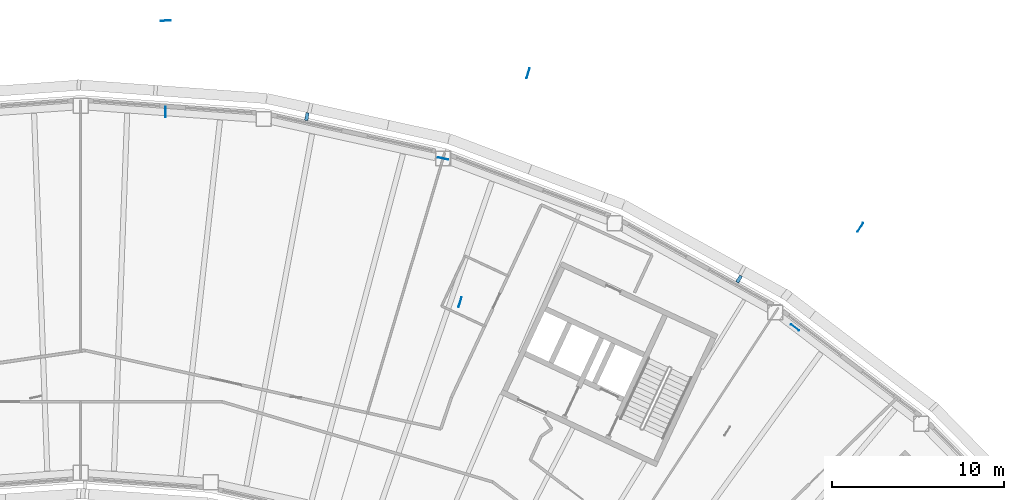
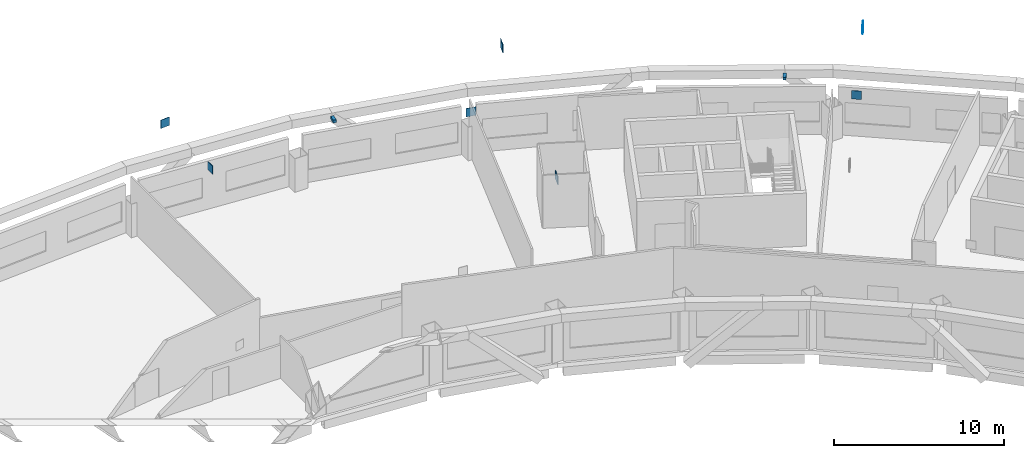
# One storey, part 16 of 20: 9 discrete accessories.
"""IFC4 building model written with IfcOpenShell, lengths in metres."""

from ifc_helpers import new_model, si_unit, direction, frame, origin, origin_2d, place, context, subcontext, project, spatial, rectangle, extrude, material, type_object, element, save


model = new_model("IFC4")

# Units and contexts
model_context = context("Model", 3, precision=1e-05, world=origin(), true_north=direction((0.0, 1.0)))
body_context = subcontext(model_context, "Body", "Model", "MODEL_VIEW")
ifc_project = project(units=[si_unit("LENGTHUNIT", "METRE"), si_unit("AREAUNIT", "SQUARE_METRE"), si_unit("VOLUMEUNIT", "CUBIC_METRE"), si_unit("PLANEANGLEUNIT", "RADIAN"), si_unit("MASSUNIT", "GRAM", prefix="KILO")], contexts=[model_context])

# Site, building, storey
site_placement = place(None, origin())
site = spatial("IfcSite", under=ifc_project, at=site_placement, CompositionType="ELEMENT")
building_placement = place(site_placement, origin())
building = spatial("IfcBuilding", under=site, at=building_placement, Name="Tuul Gate Civic Tower", CompositionType="ELEMENT")
storey_placement = place(building_placement, frame((0.0, 0.0, 197.300048828125)))
storey = spatial("IfcBuildingStorey", under=building, at=storey_placement, Name="Level 45", CompositionType="ELEMENT", Elevation=197.300048828125)

# Discrete accessories
ifc_material_1 = material(Name="Steel S355", Category="steel")
discrete_accessory_type_1 = type_object("IfcDiscreteAccessoryType", Name="Gusset plate", PredefinedType="BRACKET", material=ifc_material_1)
for number, where, z_axis, x_axis, name in (
    (1, (46.342041015625, 6.54345703125, 2.79638671875), (0.0, 0.0, 1.0), (-0.546721915066, -0.837314246616, 0.0), "Gusset plate"),
    (2, (27.0146484375, 15.498291015625, 2.79638671875), (0.0, 0.0, 1.0), (-0.285212112775, -0.958464423297, 0.0), "Gusset plate"),
    (3, (23.058349609375, 2.19580078125, 2.796142578125), (0.0, 0.0, 1.0), (0.285212112775, 0.958464423297, 0.0), "Gusset plate"),
    (4, (5.93994140625, 13.257568359375, 2.796142578125), (0.0, 0.0, 1.0), (0.0, 1.0, 0.0), "Gusset plate"),
    (5, (22.068115234375, 10.5458984375, 2.796142578125), (0.0, 0.0, 1.0), (-0.97656894253, 0.215204787319, 0.0), "Gusset plate"),
    (6, (5.93994140625, 18.565185546875, 2.796875), (0.0, 0.0, 1.0), (-0.997389783472, -0.072205400255, 0.0), "Gusset plate"),
    (7, (42.538330078125, 0.72021484375, 2.7958984375), (0.0, 0.0, 1.0), (0.795629478909, -0.605783568852, 0.0), "Gusset plate"),
):
    element("IfcDiscreteAccessory", number, at=place(storey_placement, frame(where, z_axis=z_axis, x_axis=x_axis)), inside=storey, type_object=discrete_accessory_type_1, Name=name, PredefinedType="BRACKET", context=body_context, shape_type="SweptSolid", body=[
        extrude(rectangle(XDim=0.60009765625, YDim=0.030029296875, at=origin_2d()), origin(), (0.0, 0.0, 1.0), 0.60009765625),
    ])
ifc_material_2 = material(Name="Stainless steel", Category="steel")
discrete_accessory_type_2 = type_object("IfcDiscreteAccessoryType", Name="Screen bracket", PredefinedType="BRACKET", material=ifc_material_2)
for number, where, z_axis, x_axis, name in (
    (8, (39.288818359375, 3.531005859375, 3.75), (0.0, 0.0, 1.0), (0.514604157599, 0.85742787509, 0.0), "Screen bracket 5"),
    (9, (14.14990234375, 12.982421875, 3.75), (0.0, 0.0, 1.0), (0.176796151487, 0.984247489618, 0.0), "Screen bracket 8"),
):
    element("IfcDiscreteAccessory", number, at=place(storey_placement, frame(where, z_axis=z_axis, x_axis=x_axis)), inside=storey, type_object=discrete_accessory_type_2, Name=name, PredefinedType="BRACKET", context=body_context, shape_type="SweptSolid", body=[
        extrude(rectangle(XDim=0.4501953125, YDim=0.199951171875, at=origin_2d()), origin(), (0.0, 0.0, 1.0), 0.199951171875),
    ])

save(model, "model.ifc")
